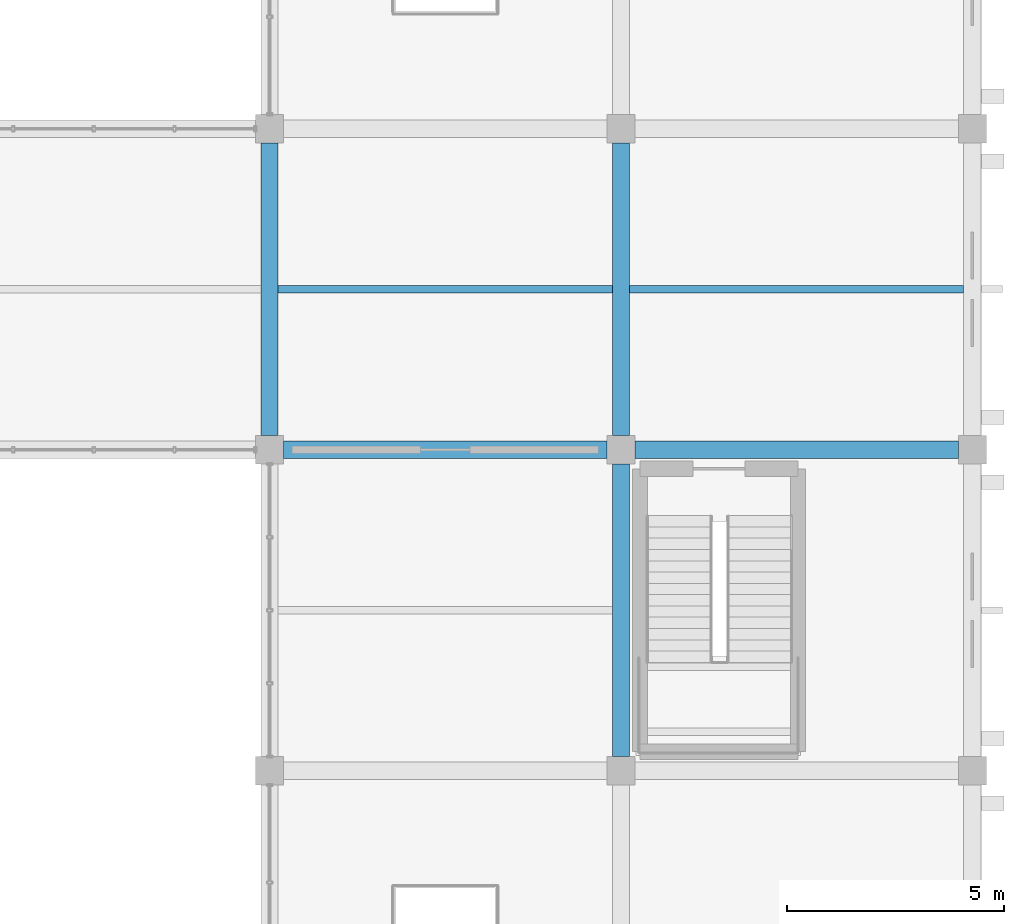
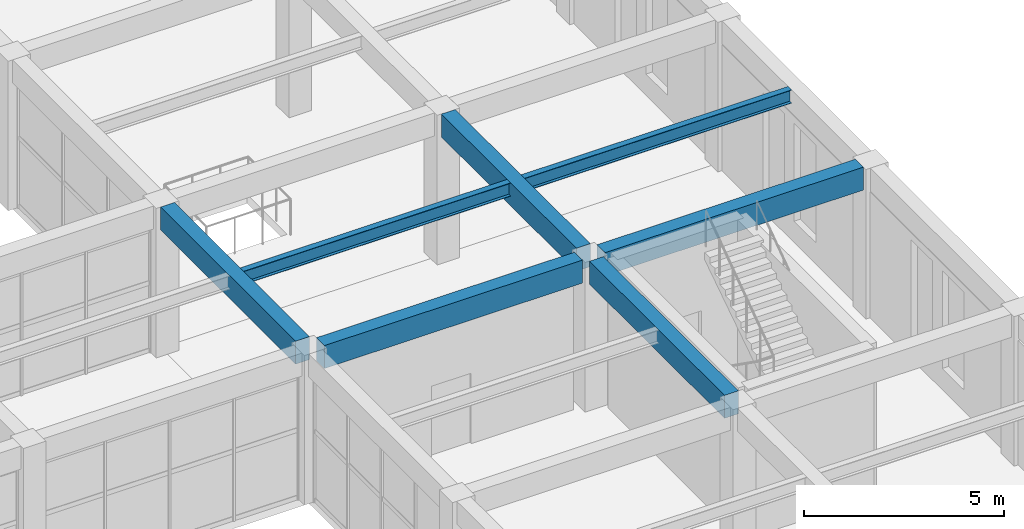
# One storey, part 119 of 161: 7 beams.
"""IFC4 building model written with IfcOpenShell, lengths in metres."""

from ifc_helpers import new_model, si_unit, direction, frame, origin, origin_2d, place, context, subcontext, project, spatial, rectangle, i_section, extrude, material, material_profile, profile_set, type_object, element, save


model = new_model("IFC4")

# Units and contexts
model_context = context("Model", 3, precision=1e-05, world=origin(), true_north=direction((0.0, 1.0)))
body_context = subcontext(model_context, "Body", "Model", "MODEL_VIEW")
ifc_project = project(units=[si_unit("LENGTHUNIT", "METRE"), si_unit("AREAUNIT", "SQUARE_METRE"), si_unit("VOLUMEUNIT", "CUBIC_METRE"), si_unit("PLANEANGLEUNIT", "RADIAN"), si_unit("MASSUNIT", "GRAM", prefix="KILO")], contexts=[model_context])

# Site, building, storey
site_placement = place(None, origin())
site = spatial("IfcSite", under=ifc_project, at=site_placement, CompositionType="ELEMENT")
building_placement = place(site_placement, origin())
building = spatial("IfcBuilding", under=site, at=building_placement, Name="Cimatlan Art Gallery", CompositionType="ELEMENT")
storey_placement = place(building_placement, frame((0.0, 0.0, 5.39990234375)))
storey = spatial("IfcBuildingStorey", under=building, at=storey_placement, Name="L01", CompositionType="ELEMENT", Elevation=5.39990234375)

# Beams
ifc_material_1 = material(Name="Concrete C40/50", Category="concrete")
ifc_material_profile_1 = material_profile(ifc_material_1, rectangle(XDim=0.39990234375, YDim=0.699951171875, at=origin_2d()), Name="RC400X700")
ifc_profile_set_1 = profile_set([ifc_material_profile_1], Name="Concrete C40/50")
beam_type_1 = type_object("IfcBeamType", Name="BM-RC-400X700", PredefinedType="BEAM", material=ifc_profile_set_1)
for number, where, z_axis, x_axis, name in (
    (1, (147.800048828125, 53.824951171875, 4.210205078125), (0.0, 1.0, 0.0), (-1.0, 0.0, 0.0), "BM-Y-L01-18-07"),
    (2, (155.89990234375, 46.425048828125, 4.210205078125), (0.0, 1.0, 0.0), (-1.0, 0.0, 0.0), "BM-Y-L01-19-06"),
    (3, (155.89990234375, 53.824951171875, 4.210205078125), (0.0, 1.0, 0.0), (-1.0, 0.0, 0.0), "BM-Y-L01-19-07"),
):
    element("IfcBeam", number, at=place(storey_placement, frame(where, z_axis=z_axis, x_axis=x_axis)), inside=storey, type_object=beam_type_1, Name=name, PredefinedType="BEAM", context=body_context, shape_type="SweptSolid", body=[
        extrude(rectangle(XDim=0.39990234375, YDim=0.699951171875, at=origin_2d()), origin(), (0.0, 0.0, 1.0), 6.75),
    ])
for number, where, z_axis, x_axis, name in (
    (4, (148.125, 53.5, 4.210205078125), (1.0, 0.0, 0.0), (0.0, 1.0, 0.0), "BM-X-L01-18-07"),
    (5, (156.22509765625, 53.5, 4.210205078125), (1.0, 0.0, 0.0), (0.0, 1.0, 0.0), "BM-X-L01-19-07"),
):
    element("IfcBeam", number, at=place(storey_placement, frame(where, z_axis=z_axis, x_axis=x_axis)), inside=storey, type_object=beam_type_1, Name=name, PredefinedType="BEAM", context=body_context, shape_type="SweptSolid", body=[
        extrude(rectangle(XDim=0.39990234375, YDim=0.699951171875, at=origin_2d()), origin(), (0.0, 0.0, 1.0), 7.449951171875),
    ])
ifc_material_2 = material(Name="Steel ASTM A992 Grade 50", Category="steel")
ifc_material_profile_2 = material_profile(ifc_material_2, i_section(OverallWidth=0.177978515625, OverallDepth=0.406982421875, WebThickness=0.0078125, FlangeThickness=0.0126953125, at=origin_2d()), Name="W16X40")
ifc_profile_set_2 = profile_set([ifc_material_profile_2], Name="Steel ASTM A992 Grade 50")
beam_type_2 = type_object("IfcBeamType", Name="BM-STL-W16X40", PredefinedType="JOIST", material=ifc_profile_set_2)
for number, where, z_axis, x_axis, name in (
    (6, (148.0, 57.199951171875, 4.356689453125), (1.0, 0.0, 0.0), (0.0, 1.0, 0.0), "JST-L01-18-07"),
    (7, (156.10009765625, 57.199951171875, 4.356689453125), (1.0, 0.0, 0.0), (0.0, 1.0, 0.0), "JST-L01-19-07"),
):
    element("IfcBeam", number, at=place(storey_placement, frame(where, z_axis=z_axis, x_axis=x_axis)), inside=storey, type_object=beam_type_2, Name=name, PredefinedType="JOIST", context=body_context, shape_type="SweptSolid", body=[
        extrude(i_section(OverallWidth=0.177978515625, OverallDepth=0.406982421875, WebThickness=0.0078125, FlangeThickness=0.0126953125, at=origin_2d()), origin(), (0.0, 0.0, 1.0), 7.699951171875),
    ])

save(model, "model.ifc")
